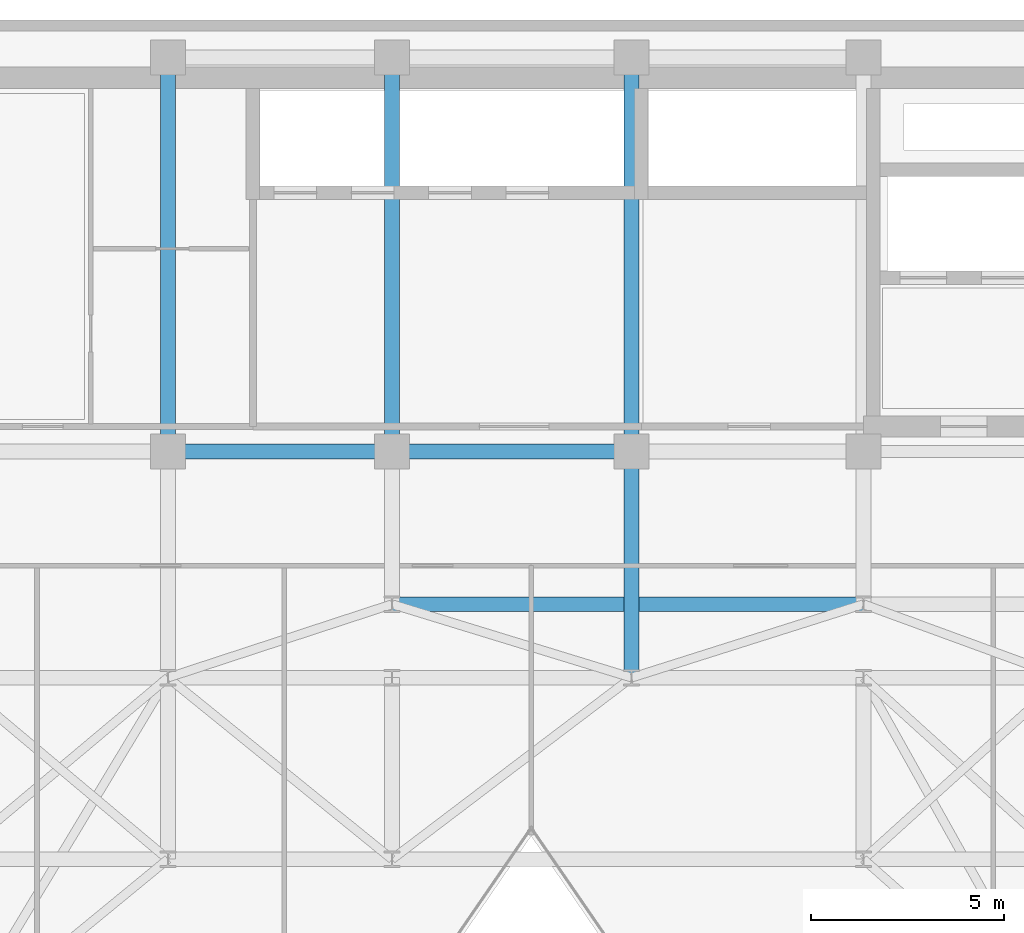
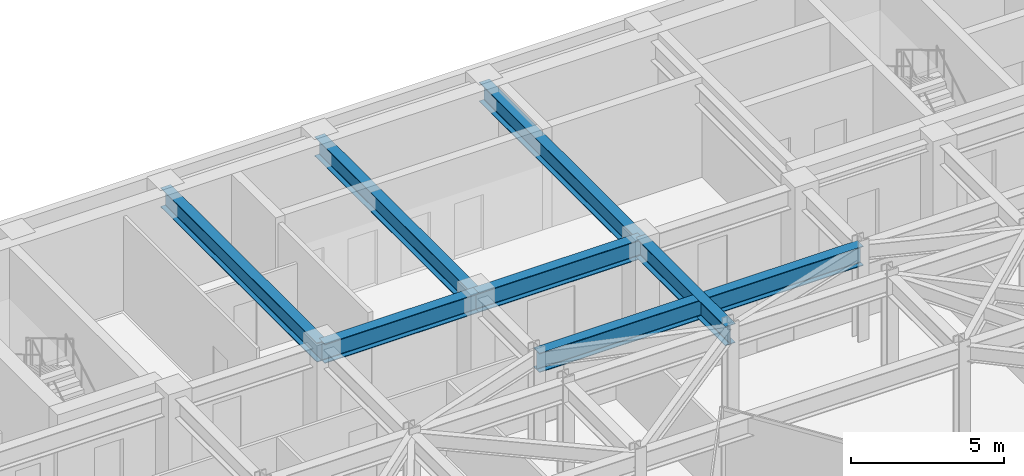
# One storey, part 15 of 27: 7 beams.
"""IFC4 building model written with IfcOpenShell, lengths in metres."""

import ifcopenshell
import ifcopenshell.guid

model = None  # the IFC model being written
_history = None  # IfcOwnerHistory: only IFC2X3 demands one
_inside = {}  # id of a spatial element -> (the spatial element, [elements in it])
_under = {}  # id of a project, library or spatial element -> (it, [spatial elements below it])
_declared = {}  # id of a project -> (the project, [libraries it declares])
_typed = {}  # id of a type object -> (the type object, [elements of that type])
_made_of = {}  # id of a material, layer set ... -> (it, [elements and type objects made of it])


def new_model(schema):
    """Start an empty IFC model of exactly this schema.

    Asked for "IFC4X3", IfcOpenShell would pick the latest addendum, in which some entities
    have other attributes; the version numbers below select the first issue.
    IFC2X3 requires an IfcOwnerHistory on every rooted entity: one is made here for all.
    """
    global model, _history
    if schema == "IFC4X3":
        model = ifcopenshell.file(schema_version=(4, 3, 0, 0))
    else:
        model = ifcopenshell.file(schema=schema)
    _inside.clear()
    _under.clear()
    _declared.clear()
    _typed.clear()
    _made_of.clear()
    _history = None
    if model.schema == "IFC2X3":
        org = make("IfcOrganization", Name="unknown")
        user = make(
            "IfcPersonAndOrganization",
            ThePerson=make("IfcPerson", FamilyName="unknown"),
            TheOrganization=org,
        )
        app = make(
            "IfcApplication",
            ApplicationDeveloper=org,
            Version="unknown",
            ApplicationFullName="unknown",
            ApplicationIdentifier="unknown",
        )
        _history = make(
            "IfcOwnerHistory",
            OwningUser=user,
            OwningApplication=app,
            ChangeAction="ADDED",
            CreationDate=0,
        )
    return model


def make(cls, **values):
    """One entity of the class cls with the attributes given. An attribute that is None is left unset."""
    return model.create_entity(
        cls, **{name: value for name, value in values.items() if value is not None}
    )


def rooted(cls, **values):
    """An entity with a GlobalId (a new one), such as an element, a storey or a relation."""
    return make(cls, GlobalId=ifcopenshell.guid.new(), OwnerHistory=_history, **values)


def si_unit(unit_type, name, prefix=None):
    """IfcSIUnit, for example si_unit("LENGTHUNIT", "METRE", prefix="MILLI")."""
    return make("IfcSIUnit", UnitType=unit_type, Prefix=prefix, Name=name)


def assignment(units):
    """IfcUnitAssignment: the units of a project."""
    return None if units is None else make("IfcUnitAssignment", Units=units)


def point(xyz):
    """IfcCartesianPoint."""
    return None if xyz is None else make("IfcCartesianPoint", Coordinates=xyz)


def direction(xyz):
    """IfcDirection."""
    return None if xyz is None else make("IfcDirection", DirectionRatios=xyz)


def frame(location, z_axis=None, x_axis=None):
    """IfcAxis2Placement3D, a coordinate frame: its origin and axes. An axis left out is left unset."""
    return make(
        "IfcAxis2Placement3D",
        Location=point(location),
        Axis=direction(z_axis),
        RefDirection=direction(x_axis),
    )


def frame_2d(location, x_axis=None):
    """IfcAxis2Placement2D, a coordinate frame in the plane: its origin and x axis."""
    return make(
        "IfcAxis2Placement2D", Location=point(location), RefDirection=direction(x_axis)
    )


def origin():
    """The frame at (0, 0, 0) with its axes left unset."""
    return frame((0.0, 0.0, 0.0))


def origin_2d():
    """The frame at (0, 0) in the plane with its x axis left unset."""
    return frame_2d((0.0, 0.0))


def place(relative_to, where):
    """IfcLocalPlacement: puts the frame where relative to a parent placement (None: the world)."""
    return make(
        "IfcLocalPlacement", PlacementRelTo=relative_to, RelativePlacement=where
    )


def context(
    kind, dimensions, precision=None, world=None, true_north=None, identifier=None
):
    """IfcGeometricRepresentationContext, for example the 3D "Model" context."""
    return make(
        "IfcGeometricRepresentationContext",
        ContextIdentifier=identifier,
        ContextType=kind,
        CoordinateSpaceDimension=dimensions,
        Precision=precision,
        WorldCoordinateSystem=world,
        TrueNorth=true_north,
    )


def subcontext(parent, identifier, kind, view, scale=None):
    """IfcGeometricRepresentationSubContext, for example "Body" below "Model"."""
    return make(
        "IfcGeometricRepresentationSubContext",
        ContextIdentifier=identifier,
        ContextType=kind,
        ParentContext=parent,
        TargetScale=scale,
        TargetView=view,
    )


def project(units=None, contexts=None):
    """IfcProject with its units and contexts."""
    return rooted(
        "IfcProject",
        Name="project",
        RepresentationContexts=contexts,
        UnitsInContext=assignment(units),
    )


def spatial(cls, under=None, at=None, **own):
    """A site, building, storey or space (cls), placed at a placement, below another one or the project."""
    s = rooted(cls, ObjectPlacement=at, **own)
    if under is not None:
        _under.setdefault(under.id(), (under, []))[1].append(s)
    return s


def profile(cls, at=None, kind="AREA", **sizes):
    """A parametric profile (cls). Its sizes go by their IFC names, for example OverallWidth=200.0."""
    return make(cls, ProfileType=kind, Position=at, **sizes)


def i_section(**sizes):
    """IfcIShapeProfileDef."""
    return profile("IfcIShapeProfileDef", **sizes)


def extrude(swept, where, along, depth):
    """IfcExtrudedAreaSolid: the profile swept, set in the frame where, extruded along a direction by depth."""
    return make(
        "IfcExtrudedAreaSolid",
        SweptArea=swept,
        Position=where,
        ExtrudedDirection=direction(along),
        Depth=depth,
    )


def shape(context_of_items, identifier, shape_type, items):
    """IfcShapeRepresentation: the items that make up one representation, for example the "Body"."""
    return make(
        "IfcShapeRepresentation",
        ContextOfItems=context_of_items,
        RepresentationIdentifier=identifier,
        RepresentationType=shape_type,
        Items=items,
    )


def material(Name=None, Category=None):
    """IfcMaterial."""
    return make("IfcMaterial", Name=Name, Category=Category)


def material_profile(
    of_material, cross_section, Name=None, Category=None, Priority=None
):
    """IfcMaterialProfile: a cross section and its material."""
    return make(
        "IfcMaterialProfile",
        Name=Name,
        Material=of_material,
        Profile=cross_section,
        Priority=Priority,
        Category=Category,
    )


def profile_set(profiles, Name=None, composite=None):
    """IfcMaterialProfileSet."""
    return make(
        "IfcMaterialProfileSet",
        Name=Name,
        MaterialProfiles=profiles,
        CompositeProfile=composite,
    )


def made_of(thing, what):
    """Note that an element or type object is made of a material, layer set ...; save() writes the relation."""
    if what is not None:
        _made_of.setdefault(what.id(), (what, []))[1].append(thing)
    return thing


def type_object(cls, material=None, **own):
    """A type object (cls), such as IfcWallType, which elements share."""
    return made_of(rooted(cls, **own), material)


def element(
    cls,
    number,
    at=None,
    inside=None,
    cuts=None,
    type_object=None,
    material=None,
    context=None,
    identifier="Body",
    shape_type=None,
    held_by="IfcProductDefinitionShape",
    body=None,
    shapes=None,
    **own,
):
    """One element of the class cls, such as IfcWall. Its Tag is "e" and its number.

    at: its placement. inside: the storey or other place that contains it. cuts: it is an
    opening in that element (IfcRelVoidsElement). A single representation is given by context,
    identifier, shape_type and body (its items); several are given by shapes. held_by: the class
    of the entity that holds the representations. save() writes the other relations.
    """
    e = rooted(cls, Tag="e%d" % number, ObjectPlacement=at, **own)
    if body is not None:
        shapes = [shape(context, identifier, shape_type, body)]
    if shapes is not None:
        e.Representation = make(held_by, Representations=shapes)
    if inside is not None:
        _inside.setdefault(inside.id(), (inside, []))[1].append(e)
    if cuts is not None:
        rooted(
            "IfcRelVoidsElement", RelatingBuildingElement=cuts, RelatedOpeningElement=e
        )
    if type_object is not None:
        _typed.setdefault(type_object.id(), (type_object, []))[1].append(e)
    return made_of(e, material)


def aggregate(whole, parts):
    """IfcRelAggregates: a whole, such as a stair, and the parts it consists of."""
    return rooted("IfcRelAggregates", RelatingObject=whole, RelatedObjects=parts)


def save(model, path):
    """Write the relations noted so far, then the file.

    IfcRelAggregates (storeys below a building ...), IfcRelContainedInSpatialStructure (elements
    in a storey), IfcRelDefinesByType, IfcRelAssociatesMaterial and IfcRelDeclares: one each for
    every whole, place, type object, material and project.
    """
    for whole, parts in _under.values():
        aggregate(whole, parts)
    for where, things in _inside.values():
        rooted(
            "IfcRelContainedInSpatialStructure",
            RelatedElements=things,
            RelatingStructure=where,
        )
    for kind, things in _typed.values():
        rooted("IfcRelDefinesByType", RelatedObjects=things, RelatingType=kind)
    for what, things in _made_of.values():
        rooted("IfcRelAssociatesMaterial", RelatedObjects=things, RelatingMaterial=what)
    for by, libraries in _declared.values():
        rooted("IfcRelDeclares", RelatingContext=by, RelatedDefinitions=libraries)
    model.write(path)


model = new_model("IFC4")

# Units and contexts
model_context = context("Model", 3, precision=1e-05, world=origin(), true_north=direction((0.0, 1.0)))
body_context = subcontext(model_context, "Body", "Model", "MODEL_VIEW")
ifc_project = project(units=[si_unit("LENGTHUNIT", "METRE"), si_unit("AREAUNIT", "SQUARE_METRE"), si_unit("VOLUMEUNIT", "CUBIC_METRE"), si_unit("PLANEANGLEUNIT", "RADIAN"), si_unit("MASSUNIT", "GRAM", prefix="KILO")], contexts=[model_context])

# Site, building, storey
site_placement = place(None, origin())
site = spatial("IfcSite", under=ifc_project, at=site_placement, CompositionType="ELEMENT")
building_placement = place(site_placement, origin())
building = spatial("IfcBuilding", under=site, at=building_placement, Name="Kravanh Interchange Tower", CompositionType="ELEMENT")
storey_placement = place(building_placement, frame((0.0, 0.0, 164.5)))
storey = spatial("IfcBuildingStorey", under=building, at=storey_placement, Name="L39", CompositionType="ELEMENT", Elevation=164.5)

# Beams
ifc_material = material(Name="Structural Steel S355", Category="steel")
ifc_material_profile = material_profile(ifc_material, i_section(OverallWidth=0.381103515625, OverallDepth=0.77294921875, WebThickness=0.0166015625, FlangeThickness=0.027099609375, FilletRadius=0.02490234375, at=origin_2d()), Name="W30X173")
ifc_profile_set = profile_set([ifc_material_profile], Name="Structural Steel S355")
beam_type = type_object("IfcBeamType", Name="Floor Beam W30X173 Structural Steel S355", PredefinedType="BEAM", material=ifc_profile_set)
beam_1_placement = place(storey_placement, frame((44.800048828125, 37.35009765625, 3.368408203125), z_axis=(0.0, -1.0, 0.0), x_axis=(1.0, 0.0, 0.0)))
element("IfcBeam", 1, at=beam_1_placement, inside=storey, type_object=beam_type, Name="L39 Primary Floor Girder 12", PredefinedType="BEAM", context=body_context, shape_type="SweptSolid", body=[
    extrude(i_section(OverallWidth=0.381103515625, OverallDepth=0.77294921875, WebThickness=0.0166015625, FlangeThickness=0.027099609375, FilletRadius=0.02490234375, at=origin_2d()), origin(), (0.0, 0.0, 1.0), 5.85009765625),
])
beam_2_placement = place(storey_placement, frame((44.800048828125, 37.35009765625, 3.368408203125), z_axis=(-1.0, 0.0, 0.0), x_axis=(0.0, -1.0, 0.0)))
element("IfcBeam", 2, at=beam_2_placement, inside=storey, type_object=beam_type, Name="L39 Primary Floor Girder 13", PredefinedType="BEAM", context=body_context, shape_type="SweptSolid", body=[
    extrude(i_section(OverallWidth=0.381103515625, OverallDepth=0.77294921875, WebThickness=0.0166015625, FlangeThickness=0.027099609375, FilletRadius=0.02490234375, at=origin_2d()), origin(), (0.0, 0.0, 1.0), 6.199951171875),
])
beam_3_placement = place(storey_placement, frame((44.800048828125, 37.35009765625, 3.368408203125), z_axis=(0.0, 1.0, 0.0), x_axis=(-1.0, 0.0, 0.0)))
element("IfcBeam", 3, at=beam_3_placement, inside=storey, type_object=beam_type, Name="L39 Primary Floor Girder 14", PredefinedType="BEAM", context=body_context, shape_type="SweptSolid", body=[
    extrude(i_section(OverallWidth=0.381103515625, OverallDepth=0.77294921875, WebThickness=0.0166015625, FlangeThickness=0.027099609375, FilletRadius=0.02490234375, at=origin_2d()), origin(), (0.0, 0.0, 1.0), 10.199951171875),
])
beam_4_placement = place(storey_placement, frame((38.60009765625, 37.35009765625, 3.368408203125), z_axis=(-1.0, 0.0, 0.0), x_axis=(0.0, -1.0, 0.0)))
element("IfcBeam", 4, at=beam_4_placement, inside=storey, type_object=beam_type, Name="L39 Primary Floor Girder 17", PredefinedType="BEAM", context=body_context, shape_type="SweptSolid", body=[
    extrude(i_section(OverallWidth=0.381103515625, OverallDepth=0.77294921875, WebThickness=0.0166015625, FlangeThickness=0.027099609375, FilletRadius=0.02490234375, at=origin_2d()), origin(), (0.0, 0.0, 1.0), 5.800048828125),
])
for number, where, z_axis, x_axis, name in (
    (5, (38.60009765625, 37.35009765625, 3.368408203125), (0.0, 1.0, 0.0), (-1.0, 0.0, 0.0), "L39 Primary Floor Girder 18"),
    (6, (32.800048828125, 37.35009765625, 3.368408203125), (0.0, 1.0, 0.0), (-1.0, 0.0, 0.0), "L39 Primary Floor Girder 22"),
):
    element("IfcBeam", number, at=place(storey_placement, frame(where, z_axis=z_axis, x_axis=x_axis)), inside=storey, type_object=beam_type, Name=name, PredefinedType="BEAM", context=body_context, shape_type="SweptSolid", body=[
        extrude(i_section(OverallWidth=0.381103515625, OverallDepth=0.77294921875, WebThickness=0.0166015625, FlangeThickness=0.027099609375, FilletRadius=0.02490234375, at=origin_2d()), origin(), (0.0, 0.0, 1.0), 10.199951171875),
    ])
beam_5_placement = place(storey_placement, frame((38.60009765625, 33.39990234375, 3.368408203125), z_axis=(1.0, 0.0, 0.0), x_axis=(0.0, 1.0, 0.0)))
element("IfcBeam", 7, at=beam_5_placement, inside=storey, type_object=beam_type, Name="L39 Primary Floor Girder 94", PredefinedType="BEAM", context=body_context, shape_type="SweptSolid", body=[
    extrude(i_section(OverallWidth=0.381103515625, OverallDepth=0.77294921875, WebThickness=0.0166015625, FlangeThickness=0.027099609375, FilletRadius=0.02490234375, at=origin_2d()), origin(), (0.0, 0.0, 1.0), 12.199951171875),
])

save(model, "model.ifc")
